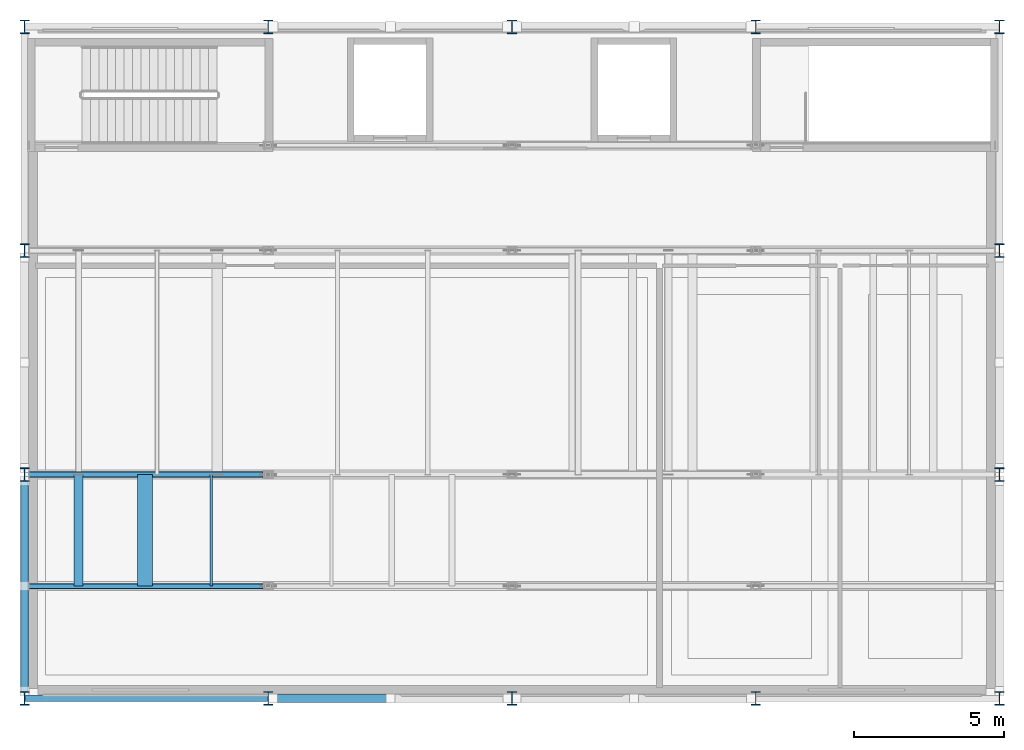
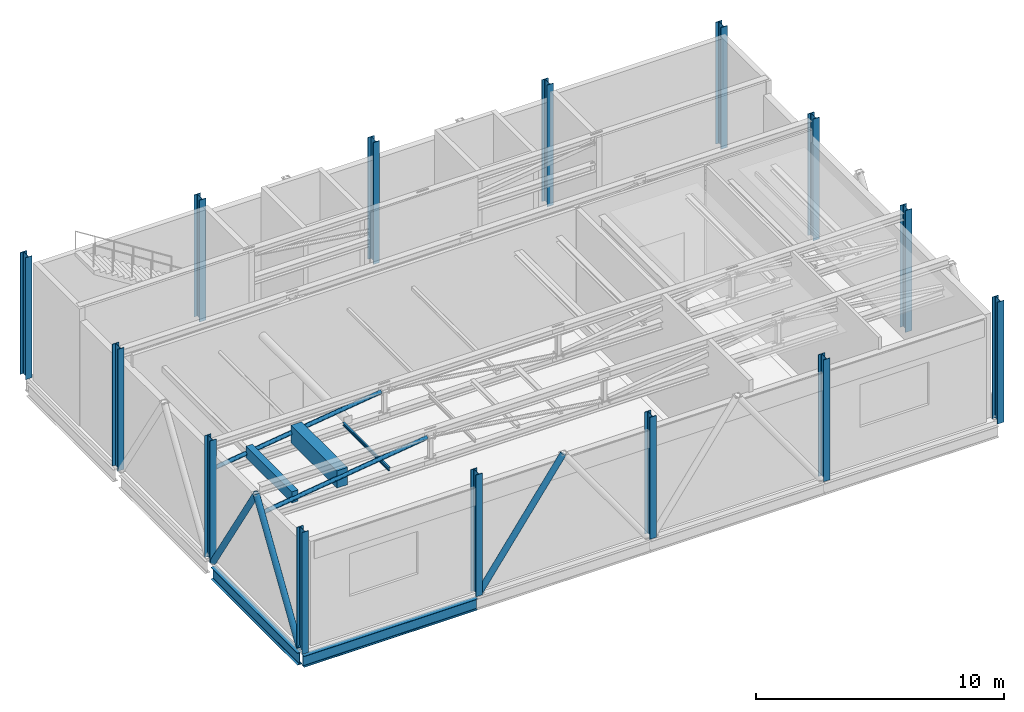
# One storey, part 1 of 21: 14 columns, 5 beams, 5 members.
"""IFC4 building model written with IfcOpenShell, lengths in metres."""

from ifc_helpers import new_model, si_unit, direction, frame, origin, origin_2d, place, context, subcontext, project, spatial, rectangle, hollow_circle, i_section, extrude, material, material_profile, profile_set, type_object, element, save


model = new_model("IFC4")

# Units and contexts
model_context = context("Model", 3, precision=1e-05, world=origin(), true_north=direction((0.0, 1.0)))
body_context = subcontext(model_context, "Body", "Model", "MODEL_VIEW")
ifc_project = project(units=[si_unit("LENGTHUNIT", "METRE"), si_unit("AREAUNIT", "SQUARE_METRE"), si_unit("VOLUMEUNIT", "CUBIC_METRE"), si_unit("PLANEANGLEUNIT", "RADIAN"), si_unit("MASSUNIT", "GRAM", prefix="KILO")], contexts=[model_context])

# Site, building, storey
site_placement = place(None, origin())
site = spatial("IfcSite", under=ifc_project, at=site_placement, CompositionType="ELEMENT")
building_placement = place(site_placement, origin())
building = spatial("IfcBuilding", under=site, at=building_placement, Name="Kaelora Sail Theatre", CompositionType="ELEMENT")
storey_placement = place(building_placement, frame((0.0, 0.0, 27.60009765625)))
storey = spatial("IfcBuildingStorey", under=building, at=storey_placement, Name="L06", CompositionType="ELEMENT", Elevation=27.60009765625)

# Columns
ifc_material_1 = material(Name="Steel S355", Category="steel")
ifc_material_profile_1 = material_profile(ifc_material_1, i_section(OverallWidth=0.300048828125, OverallDepth=0.449951171875, WebThickness=0.013916015625, FlangeThickness=0.02587890625, FilletRadius=0.027099609375, at=origin_2d()), Name="HEB 450")
ifc_profile_set_1 = profile_set([ifc_material_profile_1], Name="Steel S355")
column_type = type_object("IfcColumnType", Name="STR-COL-C-HEB450", PredefinedType="COLUMN", material=ifc_profile_set_1)
for number, where, z_axis, x_axis, name in (
    (1, (25.800048828125, 61.02001953125, 0.0), (0.0, 0.0, 1.0), (1.0, 0.0, 0.0), "Column 4/I (L06)"),
    (2, (25.800048828125, 68.4599609375, 0.0), (0.0, 0.0, 1.0), (1.0, 0.0, 0.0), "Column 4/J (L06)"),
    (3, (25.800048828125, 75.89990234375, 0.0), (0.0, 0.0, 1.0), (1.0, 0.0, 0.0), "Column 4/K (L06)"),
    (4, (25.800048828125, 83.340087890625, 0.0), (0.0, 0.0, 1.0), (1.0, 0.0, 0.0), "Column 4/L (L06)"),
    (5, (33.89990234375, 61.02001953125, 0.0), (0.0, 0.0, 1.0), (1.0, 0.0, 0.0), "Column 5/I (L06)"),
    (6, (33.89990234375, 83.340087890625, 0.0), (0.0, 0.0, 1.0), (1.0, 0.0, 0.0), "Column 5/L (L06)"),
    (7, (42.0, 61.02001953125, 0.0), (0.0, 0.0, 1.0), (1.0, 0.0, 0.0), "Column 6/I (L06)"),
    (8, (42.0, 83.340087890625, 0.0), (0.0, 0.0, 1.0), (1.0, 0.0, 0.0), "Column 6/L (L06)"),
    (9, (50.10009765625, 61.02001953125, 0.0), (0.0, 0.0, 1.0), (1.0, 0.0, 0.0), "Column 7/I (L06)"),
    (10, (50.10009765625, 83.340087890625, 0.0), (0.0, 0.0, 1.0), (1.0, 0.0, 0.0), "Column 7/L (L06)"),
    (11, (58.199951171875, 61.02001953125, 0.0), (0.0, 0.0, 1.0), (1.0, 0.0, 0.0), "Column 8/I (L06)"),
    (12, (58.199951171875, 68.4599609375, 0.0), (0.0, 0.0, 1.0), (1.0, 0.0, 0.0), "Column 8/J (L06)"),
    (13, (58.199951171875, 75.89990234375, 0.0), (0.0, 0.0, 1.0), (1.0, 0.0, 0.0), "Column 8/K (L06)"),
    (14, (58.199951171875, 83.340087890625, 0.0), (0.0, 0.0, 1.0), (1.0, 0.0, 0.0), "Column 8/L (L06)"),
):
    element("IfcColumn", number, at=place(storey_placement, frame(where, z_axis=z_axis, x_axis=x_axis)), inside=storey, type_object=column_type, Name=name, PredefinedType="COLUMN", context=body_context, shape_type="SweptSolid", body=[
        extrude(i_section(OverallWidth=0.300048828125, OverallDepth=0.449951171875, WebThickness=0.013916015625, FlangeThickness=0.02587890625, FilletRadius=0.027099609375, at=origin_2d()), origin(), (0.0, 0.0, 1.0), 6.0),
    ])

# Beams
ifc_material_2 = material(Name="Steel S355", Category="steel")
ifc_material_profile_2 = material_profile(ifc_material_2, i_section(OverallWidth=0.2099609375, OverallDepth=0.550048828125, WebThickness=0.010986328125, FlangeThickness=0.01708984375, FilletRadius=0.02392578125, at=origin_2d()), Name="IPE 550")
ifc_profile_set_2 = profile_set([ifc_material_profile_2], Name="Steel S355")
beam_type_1 = type_object("IfcBeamType", Name="STR-BM-BM-IPE550", PredefinedType="USERDEFINED", material=ifc_profile_set_2)
beam_1_placement = place(storey_placement, frame((25.80908203125, 61.02001953125, -0.4951171875), z_axis=(1.0, 0.0, 0.0), x_axis=(0.0, 1.0, 0.0)))
element("IfcBeam", 15, at=beam_1_placement, inside=storey, type_object=beam_type_1, Name="Primary beam I 4-5 (L06)", ObjectType="GIRDER", PredefinedType="USERDEFINED", context=body_context, shape_type="SweptSolid", body=[
    extrude(i_section(OverallWidth=0.2099609375, OverallDepth=0.550048828125, WebThickness=0.010986328125, FlangeThickness=0.01708984375, FilletRadius=0.02392578125, at=origin_2d()), origin(), (0.0, 0.0, 1.0), 8.08203125),
])
ifc_material_3 = material(Name="Steel S355", Category="steel")
ifc_material_profile_3 = material_profile(ifc_material_3, i_section(OverallWidth=0.219970703125, OverallDepth=0.60009765625, WebThickness=0.011962890625, FlangeThickness=0.01904296875, FilletRadius=0.02392578125, at=origin_2d()), Name="IPE 600")
ifc_profile_set_3 = profile_set([ifc_material_profile_3], Name="Steel S355")
beam_type_2 = type_object("IfcBeamType", Name="STR-BM-BM-IPE600", PredefinedType="USERDEFINED", material=ifc_profile_set_3)
beam_2_placement = place(storey_placement, frame((25.800048828125, 61.2451171875, -0.52001953125), z_axis=(0.0, 1.0, 0.0), x_axis=(-1.0, 0.0, 0.0)))
element("IfcBeam", 16, at=beam_2_placement, inside=storey, type_object=beam_type_2, Name="Primary beam 4 I-J (L06)", ObjectType="GIRDER", PredefinedType="USERDEFINED", context=body_context, shape_type="SweptSolid", body=[
    extrude(i_section(OverallWidth=0.219970703125, OverallDepth=0.60009765625, WebThickness=0.011962890625, FlangeThickness=0.01904296875, FilletRadius=0.02392578125, at=origin_2d()), origin(), (0.0, 0.0, 1.0), 6.989990234375),
])
ifc_material_4 = material(Name="Concrete C40/50", Category="concrete")
ifc_material_profile_4 = material_profile(ifc_material_4, rectangle(XDim=0.300048828125, YDim=0.550048828125, at=origin_2d()), Name="RC-BM 300x550")
ifc_profile_set_4 = profile_set([ifc_material_profile_4], Name="Concrete C40/50")
beam_type_3 = type_object("IfcBeamType", Name="STR-BM-BM-RC3055", PredefinedType="BEAM", material=ifc_profile_set_4)
beam_3_placement = place(storey_placement, frame((27.60009765625, 64.75, 4.704833984375), z_axis=(0.0, 1.0, 0.0), x_axis=(-1.0, 0.0, 0.0)))
element("IfcBeam", 17, at=beam_3_placement, inside=storey, type_object=beam_type_3, Name="Fly Tower rigging grid beam 01", PredefinedType="BEAM", context=body_context, shape_type="SweptSolid", body=[
    extrude(rectangle(XDim=0.300048828125, YDim=0.550048828125, at=origin_2d()), origin(), (0.0, 0.0, 1.0), 3.7099609375),
])
ifc_material_5 = material(Name="Concrete C45/55", Category="concrete")
ifc_material_profile_5 = material_profile(ifc_material_5, rectangle(XDim=0.5, YDim=0.85009765625, at=origin_2d()), Name="RC-BM 500x850")
ifc_profile_set_5 = profile_set([ifc_material_profile_5], Name="Concrete C45/55")
beam_type_4 = type_object("IfcBeamType", Name="STR-BM-BM-RC5085", PredefinedType="BEAM", material=ifc_profile_set_5)
beam_4_placement = place(storey_placement, frame((29.800048828125, 64.75, 4.85498046875), z_axis=(0.0, 1.0, 0.0), x_axis=(-1.0, 0.0, 0.0)))
element("IfcBeam", 18, at=beam_4_placement, inside=storey, type_object=beam_type_4, Name="Fly Tower rigging grid beam 02", PredefinedType="BEAM", context=body_context, shape_type="SweptSolid", body=[
    extrude(rectangle(XDim=0.5, YDim=0.85009765625, at=origin_2d()), origin(), (0.0, 0.0, 1.0), 3.7099609375),
])
ifc_material_6 = material(Name="Steel S355", Category="steel")
ifc_material_profile_6 = material_profile(ifc_material_6, i_section(OverallWidth=0.08203125, OverallDepth=0.159912109375, WebThickness=0.0048828125, FlangeThickness=0.00732421875, FilletRadius=0.009033203125, at=origin_2d()), Name="IPE 160")
ifc_profile_set_6 = profile_set([ifc_material_profile_6], Name="Steel S355")
beam_type_5 = type_object("IfcBeamType", Name="STR-BM-JS-IPE160", PredefinedType="JOIST", material=ifc_profile_set_6)
beam_5_placement = place(storey_placement, frame((32.0, 64.75, 4.510009765625), z_axis=(0.0, 1.0, 0.0), x_axis=(-1.0, 0.0, 0.0)))
element("IfcBeam", 19, at=beam_5_placement, inside=storey, type_object=beam_type_5, Name="Fly Tower rigging grid beam 03", PredefinedType="JOIST", context=body_context, shape_type="SweptSolid", body=[
    extrude(i_section(OverallWidth=0.08203125, OverallDepth=0.159912109375, WebThickness=0.0048828125, FlangeThickness=0.00732421875, FilletRadius=0.009033203125, at=origin_2d()), origin(), (0.0, 0.0, 1.0), 3.7099609375),
])

# Members
ifc_material_7 = material(Name="Steel S355", Category="steel")
ifc_material_profile_7 = material_profile(ifc_material_7, hollow_circle(Radius=0.136474609375, WallThickness=0.012451171875, at=origin_2d()), Name="CHS 273.0x12.5")
ifc_profile_set_7 = profile_set([ifc_material_profile_7], Name="Steel S355")
member_type_1 = type_object("IfcMemberType", Name="STR-MEM-BR-CHS273", PredefinedType="BRACE", material=ifc_profile_set_7)
for number, where, z_axis, x_axis, name in (
    (20, (25.800048828125, 61.280029296875, 0.02001953125), (0.0, 0.5379731687, 0.842961962225), (-1.0, 0.0, 0.0), "Fly Tower chevron brace L06 WS1"),
    (21, (25.800048828125, 68.22998046875, 0.02001953125), (0.0, -0.53800002628, 0.84294482128), (1.0, 0.0, 0.0), "Fly Tower chevron brace L06 WS2"),
):
    element("IfcMember", number, at=place(storey_placement, frame(where, z_axis=z_axis, x_axis=x_axis)), inside=storey, type_object=member_type_1, Name=name, PredefinedType="BRACE", context=body_context, shape_type="SweptSolid", body=[
        extrude(hollow_circle(Radius=0.136474609375, WallThickness=0.012451171875, at=origin_2d()), origin(), (0.0, 0.0, 1.0), 6.459228515625),
    ])
member_placement = place(storey_placement, frame((34.06005859375, 61.02001953125, 0.02001953125), z_axis=(0.58131066777, 0.0, 0.813681699153), x_axis=(0.0, 1.0, 0.0)))
element("IfcMember", 22, at=member_placement, inside=storey, type_object=member_type_1, Name="Fly Tower south stage-house chevron brace L06 S2-1", PredefinedType="BRACE", context=body_context, shape_type="SweptSolid", body=[
    extrude(hollow_circle(Radius=0.136474609375, WallThickness=0.012451171875, at=origin_2d()), origin(), (0.0, 0.0, 1.0), 6.691650390625),
])
ifc_material_8 = material(Name="Steel S355", Category="steel")
ifc_material_profile_8 = material_profile(ifc_material_8, hollow_circle(Radius=0.096923828125, WallThickness=0.010009765625, at=origin_2d()), Name="CHS 193.7x10.0")
ifc_profile_set_8 = profile_set([ifc_material_profile_8], Name="Steel S355")
member_type_2 = type_object("IfcMemberType", Name="STR-MEM-ST-CHS193", PredefinedType="STRUT", material=ifc_profile_set_8)
for number, where, z_axis, x_axis, name in (
    (23, (25.9599609375, 64.75, 4.429931640625), (0.99118274936, 0.0, 0.132501914591), (0.0, 1.0, 0.0), "TDG-01 Fly Tower truss 1 web diagonal 1"),
    (24, (25.9599609375, 68.4599609375, 4.429931640625), (0.99118274936, 0.0, 0.132501914591), (0.0, 1.0, 0.0), "TDG-01 Fly Tower truss 2 web diagonal 1"),
):
    element("IfcMember", number, at=place(storey_placement, frame(where, z_axis=z_axis, x_axis=x_axis)), inside=storey, type_object=member_type_2, Name=name, PredefinedType="STRUT", context=body_context, shape_type="SweptSolid", body=[
        extrude(hollow_circle(Radius=0.096923828125, WallThickness=0.010009765625, at=origin_2d()), origin(), (0.0, 0.0, 1.0), 7.84912109375),
    ])

save(model, "model.ifc")
